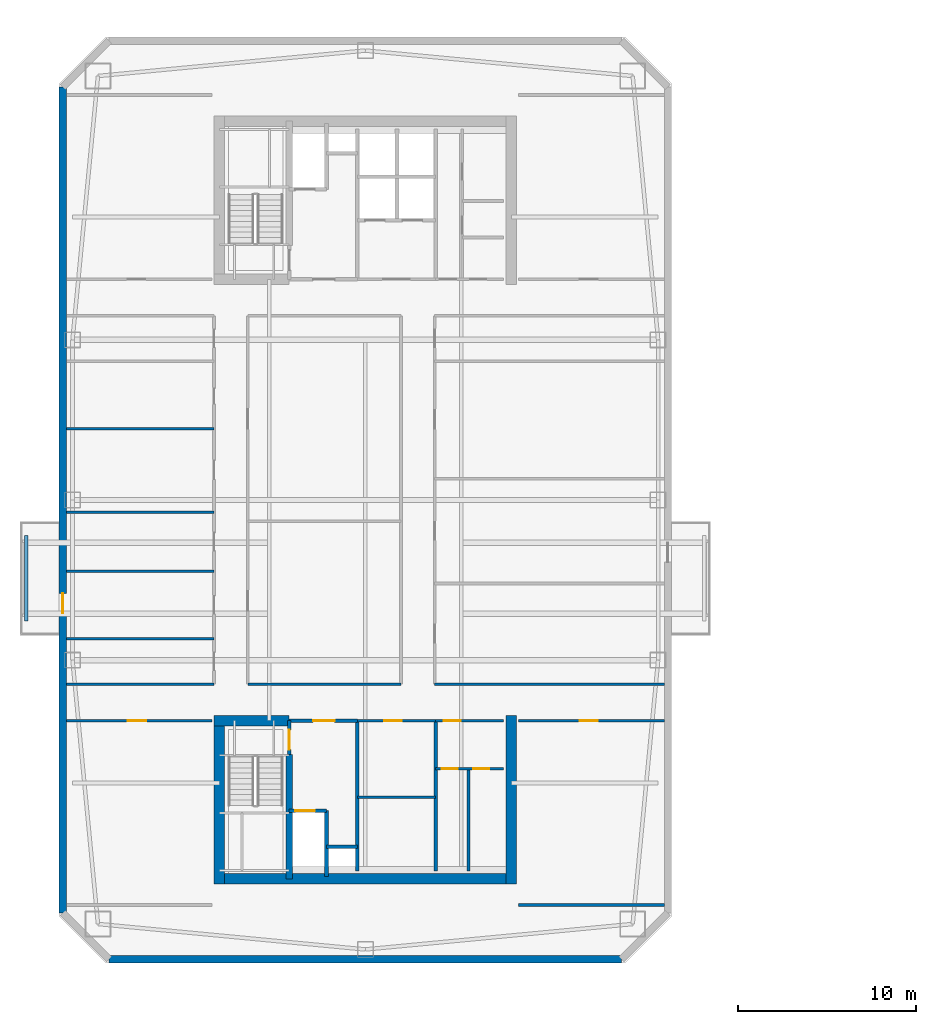
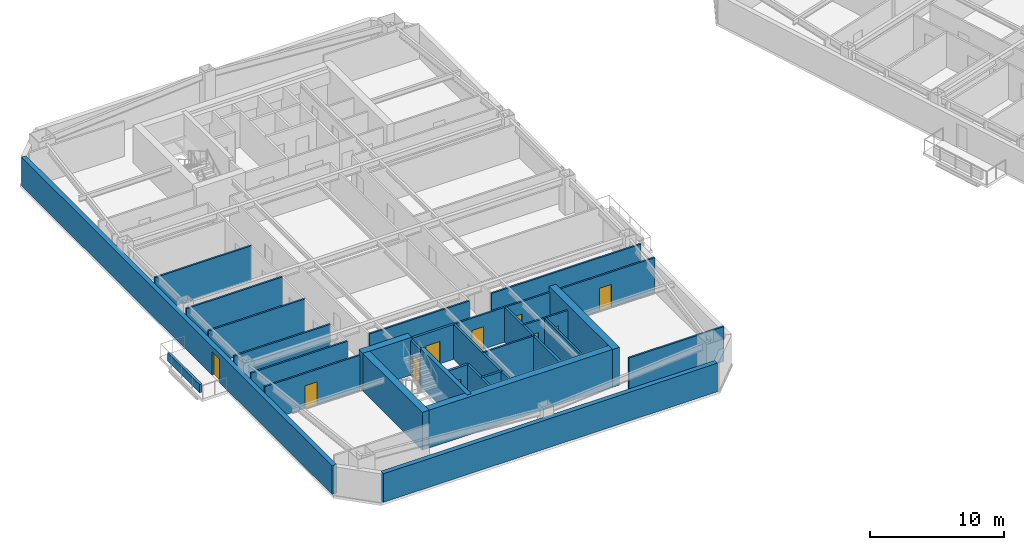
# One storey, part 5 of 15: 30 walls, 10 doors, 10 openings.
"""IFC4 building model written with IfcOpenShell, lengths in metres."""

from ifc_helpers import new_model, si_unit, direction, frame, frame_2d, origin, place, context, subcontext, project, spatial, rectangle, extrude, material, layer, layer_set, type_object, element, fill, save


model = new_model("IFC4")

# Units and contexts
model_context = context("Model", 3, precision=1e-05, world=origin(), true_north=direction((0.0, 1.0)))
body_context = subcontext(model_context, "Body", "Model", "MODEL_VIEW")
ifc_project = project(units=[si_unit("LENGTHUNIT", "METRE"), si_unit("AREAUNIT", "SQUARE_METRE"), si_unit("VOLUMEUNIT", "CUBIC_METRE"), si_unit("PLANEANGLEUNIT", "RADIAN"), si_unit("MASSUNIT", "GRAM", prefix="KILO")], contexts=[model_context])

# Site, building, storey
site_placement = place(None, origin())
site = spatial("IfcSite", under=ifc_project, at=site_placement, CompositionType="ELEMENT")
building_placement = place(site_placement, origin())
building = spatial("IfcBuilding", under=site, at=building_placement, Name="Qiaolan Cultural Towers", CompositionType="ELEMENT")
storey_placement = place(building_placement, frame((0.0, 0.0, 166.75)))
storey = spatial("IfcBuildingStorey", under=building, at=storey_placement, Name="L44", CompositionType="ELEMENT", Elevation=166.75)

# Walls
ifc_material_1 = material(Name="Concrete C50", Category="concrete")
ifc_layer_1 = layer(ifc_material_1, 0.35009765625)
ifc_layer_set_1 = layer_set([ifc_layer_1], Name="Concrete C50")
wall_type_1 = type_object("IfcWallType", Name="WL-CORE-350", PredefinedType="SHEAR", material=ifc_layer_set_1)
wall_1_placement = place(storey_placement, frame((25.719970703125, 19.699951171875, 0.0), z_axis=(0.0, 0.0, 1.0), x_axis=(0.0, -1.0, 0.0)))
element("IfcWall", 1, at=wall_1_placement, inside=storey, type_object=wall_type_1, Name="L44 T1-CS Stair Core Dividing Web", PredefinedType="SHEAR", context=body_context, shape_type="SweptSolid", body=[
    extrude(rectangle(XDim=6.97998046875, YDim=0.35009765625, at=frame_2d((3.489990234375, 0.0))), origin(), (0.0, 0.0, 1.0), 3.449951171875),
])
ifc_material_2 = material(Name="Concrete C55", Category="concrete")
ifc_layer_2 = layer(ifc_material_2, 0.60009765625)
ifc_layer_set_2 = layer_set([ifc_layer_2], Name="Concrete C55")
wall_type_2 = type_object("IfcWallType", Name="WL-CORE-600", PredefinedType="SHEAR", material=ifc_layer_set_2)
wall_2_placement = place(storey_placement, frame((21.5, 12.719970703125, 0.0), z_axis=(0.0, 0.0, 1.0), x_axis=(1.0, 0.0, 0.0)))
element("IfcWall", 2, at=wall_2_placement, inside=storey, type_object=wall_type_2, Name="L44 T1-CS Outer Core Shear Wall", PredefinedType="SHEAR", context=body_context, shape_type="SweptSolid", body=[
    extrude(rectangle(XDim=17.0, YDim=0.60009765625, at=frame_2d((8.5, 0.0))), origin(), (0.0, 0.0, 1.0), 3.449951171875),
])
for number, where, z_axis, x_axis, name in (
    (3, (21.800048828125, 21.89990234375, 0.0), (0.0, 0.0, 1.0), (0.0, -1.0, 0.0), "L44 T1-CS West Core Shear Wall"),
    (4, (38.199951171875, 21.89990234375, 0.0), (0.0, 0.0, 1.0), (0.0, -1.0, 0.0), "L44 T1-CS East Core Shear Wall"),
):
    element("IfcWall", number, at=place(storey_placement, frame(where, z_axis=z_axis, x_axis=x_axis)), inside=storey, type_object=wall_type_2, Name=name, PredefinedType="SHEAR", context=body_context, shape_type="SweptSolid", body=[
        extrude(rectangle(XDim=9.47998046875, YDim=0.60009765625, at=frame_2d((4.739990234375, 0.0))), origin(), (0.0, 0.0, 1.0), 3.449951171875),
    ])
wall_3_placement = place(storey_placement, frame((21.5, 21.60009765625, 0.0), z_axis=(0.0, 0.0, 1.0), x_axis=(1.0, 0.0, 0.0)))
element("IfcWall", 5, at=wall_3_placement, inside=storey, type_object=wall_type_2, Name="L44 T1-CS Stair Front Shear Wall", PredefinedType="SHEAR", context=body_context, shape_type="SweptSolid", body=[
    extrude(rectangle(XDim=4.219970703125, YDim=0.60009765625, at=frame_2d((2.10986328125, 0.0))), origin(), (0.0, 0.0, 1.0), 3.449951171875),
])

# Wall, opening, door
ifc_material_3 = material(Name="Precast Concrete C50 Honed Stone Pier", Category="masonry")
ifc_layer_3 = layer(ifc_material_3, 0.39990234375)
ifc_layer_set_3 = layer_set([ifc_layer_3], Name="Precast Concrete C50 Honed Stone Pier")
wall_type_3 = type_object("IfcWallType", Name="WL-EXT-PIER-400", PredefinedType="SOLIDWALL", material=ifc_layer_set_3)
wall_4_placement = place(storey_placement, frame((13.0, 10.800048828125, 0.0), z_axis=(0.0, 0.0, 1.0), x_axis=(0.0, 1.0, 0.0)))
wall_4 = element("IfcWall", 6, at=wall_4_placement, inside=storey, type_object=wall_type_3, Name="L44 West Tower Precast Pier Facade Wall F1", PredefinedType="SOLIDWALL", context=body_context, shape_type="SweptSolid", body=[
    extrude(rectangle(XDim=46.39990234375, YDim=0.39990234375, at=frame_2d((23.199951171875, 0.0))), origin(), (0.0, 0.0, 1.0), 2.610107421875),
])
opening_1_placement = place(wall_4_placement, frame((16.85009765625, 0.0, 0.0)))
opening_1 = element("IfcOpeningElement", 7, at=opening_1_placement, cuts=wall_4, Name="Opening BD-01", PredefinedType="OPENING", context=body_context, shape_type="SweptSolid", body=[
    extrude(rectangle(XDim=1.10009765625, YDim=2.14990234375, at=frame_2d((0.550048828125, 1.074951171875))), frame((0.0, 0.2099609375, 0.0), z_axis=(0.0, -1.0, 0.0), x_axis=(1.0, 0.0, 0.0)), (0.0, 0.0, 1.0), 0.419921875),
])
ifc_material_4 = material(Name="Thermally Broken Aluminium Glazed Terrace Door", Category="aluminium")
door_type_1 = type_object("IfcDoorType", Name="DR-BAL-1100", OperationType="NOTDEFINED", PredefinedType="DOOR", material=ifc_material_4)
door_1_placement = place(opening_1_placement, origin())
door_1 = element("IfcDoor", 8, at=door_1_placement, inside=storey, type_object=door_type_1, Name="L44 T1 West Tree Balcony Door", OperationType="SINGLE_SWING_LEFT", OverallHeight=2.14990234375, OverallWidth=1.10009765625, PredefinedType="DOOR", context=body_context, shape_type="SweptSolid", body=[
    extrude(rectangle(XDim=1.10009765625, YDim=2.14990234375, at=frame_2d((0.550048828125, 1.074951171875))), frame((0.0, 0.02490234375, 0.0), z_axis=(0.0, -1.0, 0.0), x_axis=(1.0, 0.0, 0.0)), (0.0, 0.0, 1.0), 0.050048828125),
])
fill(opening_1, door_1)

# Wall
wall_5_placement = place(storey_placement, frame((44.39990234375, 8.199951171875, 0.0), z_axis=(0.0, 0.0, 1.0), x_axis=(-1.0, 0.0, 0.0)))
element("IfcWall", 9, at=wall_5_placement, inside=storey, type_object=wall_type_3, Name="L44 West Tower Precast Pier Facade Wall F7", PredefinedType="SOLIDWALL", context=body_context, shape_type="SweptSolid", body=[
    extrude(rectangle(XDim=28.7998046875, YDim=0.39990234375, at=frame_2d((14.39990234375, 0.0))), origin(), (0.0, 0.0, 1.0), 2.610107421875),
])

# Wall, opening, door
ifc_material_5 = material(Name="Concrete C35 Fire Wall", Category="concrete")
ifc_layer_4 = layer(ifc_material_5, 0.199951171875)
ifc_layer_set_4 = layer_set([ifc_layer_4], Name="Concrete C35 Fire Wall")
wall_type_4 = type_object("IfcWallType", Name="WL-FIRE-200", PredefinedType="PARTITIONING", material=ifc_layer_set_4)
wall_6_placement = place(storey_placement, frame((25.719970703125, 21.60009765625, 0.0), z_axis=(0.0, 0.0, 1.0), x_axis=(0.0, -1.0, 0.0)))
wall_6 = element("IfcWall", 10, at=wall_6_placement, inside=storey, type_object=wall_type_4, Name="L44 T1-CS Smokeproof Stair Entry Wall", PredefinedType="PARTITIONING", context=body_context, shape_type="SweptSolid", body=[
    extrude(rectangle(XDim=1.900146484375, YDim=0.199951171875, at=frame_2d((0.9501953125, 0.0))), origin(), (0.0, 0.0, 1.0), 3.175048828125),
])
opening_2_placement = place(wall_6_placement, frame((0.52001953125, 0.0, 0.0)))
opening_2 = element("IfcOpeningElement", 11, at=opening_2_placement, cuts=wall_6, Name="Opening FD-04", PredefinedType="OPENING", context=body_context, shape_type="SweptSolid", body=[
    extrude(rectangle(XDim=1.10009765625, YDim=2.050048828125, at=frame_2d((0.550048828125, 1.02490234375))), frame((0.0, 0.10986328125, 0.0), z_axis=(0.0, -1.0, 0.0), x_axis=(1.0, 0.0, 0.0)), (0.0, 0.0, 1.0), 0.219970703125),
])
ifc_material_6 = material(Name="Galvanized Steel Command Fire Door", Category="steel")
door_type_2 = type_object("IfcDoorType", Name="DR-FD90-1100", OperationType="NOTDEFINED", PredefinedType="DOOR", material=ifc_material_6)
door_2_placement = place(opening_2_placement, origin())
door_2 = element("IfcDoor", 12, at=door_2_placement, inside=storey, type_object=door_type_2, Name="L44 ST-W1 Smokeproof Stair Fire Door", OperationType="SINGLE_SWING_LEFT", OverallHeight=2.050048828125, OverallWidth=1.10009765625, PredefinedType="DOOR", context=body_context, shape_type="SweptSolid", body=[
    extrude(rectangle(XDim=1.10009765625, YDim=2.050048828125, at=frame_2d((0.550048828125, 1.02490234375))), frame((0.0, 0.02490234375, 0.0), z_axis=(0.0, -1.0, 0.0), x_axis=(1.0, 0.0, 0.0)), (0.0, 0.0, 1.0), 0.050048828125),
])
fill(opening_2, door_2)

# Wall
wall_7_placement = place(storey_placement, frame((29.550048828125, 21.60009765625, 0.0), z_axis=(0.0, 0.0, 1.0), x_axis=(0.0, -1.0, 0.0)))
element("IfcWall", 13, at=wall_7_placement, inside=storey, type_object=wall_type_4, Name="L44 T1-CS Firefighting Zone Wall", PredefinedType="PARTITIONING", context=body_context, shape_type="SweptSolid", body=[
    extrude(rectangle(XDim=8.43017578125, YDim=0.199951171875, at=frame_2d((4.215087890625, 0.0))), origin(), (0.0, 0.0, 1.0), 3.175048828125),
])

# Wall, opening, door
wall_8_placement = place(storey_placement, frame((25.719970703125, 21.60009765625, 0.0), z_axis=(0.0, 0.0, 1.0), x_axis=(1.0, 0.0, 0.0)))
wall_8 = element("IfcWall", 14, at=wall_8_placement, inside=storey, type_object=wall_type_4, Name="L44 T1-CS Firefighting Lobby Front Wall", PredefinedType="PARTITIONING", context=body_context, shape_type="SweptSolid", body=[
    extrude(rectangle(XDim=3.830078125, YDim=0.199951171875, at=frame_2d((1.9150390625, 0.0))), origin(), (0.0, 0.0, 1.0), 3.175048828125),
])
opening_3_placement = place(wall_8_placement, frame((1.35009765625, 0.0, 0.0)))
opening_3 = element("IfcOpeningElement", 15, at=opening_3_placement, cuts=wall_8, Name="Opening FD-03", PredefinedType="OPENING", context=body_context, shape_type="SweptSolid", body=[
    extrude(rectangle(XDim=1.199951171875, YDim=2.050048828125, at=frame_2d((0.60009765625, 1.02490234375))), frame((0.0, 0.10986328125, 0.0), z_axis=(0.0, -1.0, 0.0), x_axis=(1.0, 0.0, 0.0)), (0.0, 0.0, 1.0), 0.219970703125),
])
ifc_material_7 = material(Name="Galvanized Steel Smokeproof Lobby Fire Door", Category="steel")
door_type_3 = type_object("IfcDoorType", Name="DR-FD90-1200", OperationType="NOTDEFINED", PredefinedType="DOOR", material=ifc_material_7)
door_3_placement = place(opening_3_placement, origin())
door_3 = element("IfcDoor", 16, at=door_3_placement, inside=storey, type_object=door_type_3, Name="L44 FFL-W1 Firefighting Lobby Fire Door", OperationType="SINGLE_SWING_LEFT", OverallHeight=2.050048828125, OverallWidth=1.199951171875, PredefinedType="DOOR", context=body_context, shape_type="SweptSolid", body=[
    extrude(rectangle(XDim=1.199951171875, YDim=2.050048828125, at=frame_2d((0.60009765625, 1.02490234375))), frame((0.0, 0.02490234375, 0.0), z_axis=(0.0, -1.0, 0.0), x_axis=(1.0, 0.0, 0.0)), (0.0, 0.0, 1.0), 0.050048828125),
])
fill(opening_3, door_3)

wall_9_placement = place(storey_placement, frame((25.719970703125, 16.550048828125, 0.0), z_axis=(0.0, 0.0, 1.0), x_axis=(1.0, 0.0, 0.0)))
wall_9 = element("IfcWall", 17, at=wall_9_placement, inside=storey, type_object=wall_type_4, Name="L44 T1-CS Firefighting Shaft Front Wall", PredefinedType="PARTITIONING", context=body_context, shape_type="SweptSolid", body=[
    extrude(rectangle(XDim=2.10009765625, YDim=0.199951171875, at=frame_2d((1.050048828125, 0.0))), origin(), (0.0, 0.0, 1.0), 3.175048828125),
])
opening_4_placement = place(wall_9_placement, frame((0.35009765625, 0.0, 0.0)))
opening_4 = element("IfcOpeningElement", 18, at=opening_4_placement, cuts=wall_9, Name="Opening LD-01", PredefinedType="OPENING", context=body_context, shape_type="SweptSolid", body=[
    extrude(rectangle(XDim=1.10009765625, YDim=2.050048828125, at=frame_2d((0.550048828125, 1.02490234375))), frame((0.0, 0.10986328125, 0.0), z_axis=(0.0, -1.0, 0.0), x_axis=(1.0, 0.0, 0.0)), (0.0, 0.0, 1.0), 0.219970703125),
])
ifc_material_8 = material(Name="Brushed Stainless Steel S30408 Centre-Parting Lift Landing Door", Category="steel")
door_type_4 = type_object("IfcDoorType", Name="DR-LIFT-1100", OperationType="NOTDEFINED", PredefinedType="DOOR", material=ifc_material_8)
door_4_placement = place(opening_4_placement, origin())
door_4 = element("IfcDoor", 19, at=door_4_placement, inside=storey, type_object=door_type_4, Name="L44 FFL-W1 Firefighting Lift Landing Door", OperationType="DOUBLE_DOOR_SLIDING", OverallHeight=2.050048828125, OverallWidth=1.10009765625, PredefinedType="DOOR", context=body_context, shape_type="SweptSolid", body=[
    extrude(rectangle(XDim=1.10009765625, YDim=2.050048828125, at=frame_2d((0.550048828125, 1.02490234375))), frame((0.0, 0.02490234375, 0.0), z_axis=(0.0, -1.0, 0.0), x_axis=(1.0, 0.0, 0.0)), (0.0, 0.0, 1.0), 0.050048828125),
])
fill(opening_4, door_4)

# Walls
wall_10_placement = place(storey_placement, frame((27.820068359375, 16.550048828125, 0.0), z_axis=(0.0, 0.0, 1.0), x_axis=(0.0, -1.0, 0.0)))
element("IfcWall", 20, at=wall_10_placement, inside=storey, type_object=wall_type_4, Name="L44 T1-CS Firefighting Hoistway East Wall", PredefinedType="PARTITIONING", context=body_context, shape_type="SweptSolid", body=[
    extrude(rectangle(XDim=3.699951171875, YDim=0.199951171875, at=frame_2d((1.85009765625, 0.0))), origin(), (0.0, 0.0, 1.0), 3.175048828125),
])
wall_11_placement = place(storey_placement, frame((27.820068359375, 14.52001953125, 0.0), z_axis=(0.0, 0.0, 1.0), x_axis=(1.0, 0.0, 0.0)))
element("IfcWall", 21, at=wall_11_placement, inside=storey, type_object=wall_type_4, Name="L44 T1-CS Pressurization Shaft Front Wall", PredefinedType="PARTITIONING", context=body_context, shape_type="SweptSolid", body=[
    extrude(rectangle(XDim=1.72998046875, YDim=0.199951171875, at=frame_2d((0.864990234375, 0.0))), origin(), (0.0, 0.0, 1.0), 3.175048828125),
])
wall_12_placement = place(storey_placement, frame((33.949951171875, 21.60009765625, 0.0), z_axis=(0.0, 0.0, 1.0), x_axis=(0.0, -1.0, 0.0)))
element("IfcWall", 22, at=wall_12_placement, inside=storey, type_object=wall_type_4, Name="L44 T1-CS Lift Core East Wall", PredefinedType="PARTITIONING", context=body_context, shape_type="SweptSolid", body=[
    extrude(rectangle(XDim=8.43017578125, YDim=0.199951171875, at=frame_2d((4.215087890625, 0.0))), origin(), (0.0, 0.0, 1.0), 3.175048828125),
])

# Wall, opening, door
ifc_material_9 = material(Name="Autoclaved Aerated Concrete Block B06", Category="concrete")
ifc_layer_5 = layer(ifc_material_9, 0.14990234375)
ifc_layer_set_5 = layer_set([ifc_layer_5], Name="Autoclaved Aerated Concrete Block B06")
wall_type_5 = type_object("IfcWallType", Name="WL-PART-150", PredefinedType="PARTITIONING", material=ifc_layer_set_5)
wall_13_placement = place(storey_placement, frame((29.550048828125, 21.60009765625, 0.0), z_axis=(0.0, 0.0, 1.0), x_axis=(1.0, 0.0, 0.0)))
wall_13 = element("IfcWall", 23, at=wall_13_placement, inside=storey, type_object=wall_type_5, Name="L44 T1-CS Reclaimed Core Room Front Wall", PredefinedType="PARTITIONING", context=body_context, shape_type="SweptSolid", body=[
    extrude(rectangle(XDim=4.39990234375, YDim=0.14990234375, at=frame_2d((2.199951171875, 0.0))), origin(), (0.0, 0.0, 1.0), 3.175048828125),
])
opening_5_placement = place(wall_13_placement, frame((1.5, 0.0, 0.0)))
opening_5 = element("IfcOpeningElement", 24, at=opening_5_placement, cuts=wall_13, Name="Opening ID-04", PredefinedType="OPENING", context=body_context, shape_type="SweptSolid", body=[
    extrude(rectangle(XDim=1.0, YDim=2.050048828125, at=frame_2d((0.5, 1.02490234375))), frame((0.0, 0.0849609375, 0.0), z_axis=(0.0, -1.0, 0.0), x_axis=(1.0, 0.0, 0.0)), (0.0, 0.0, 1.0), 0.169921875),
])
ifc_material_10 = material(Name="Oak Veneer Acoustic Office Door", Category="timber")
door_type_5 = type_object("IfcDoorType", Name="DR-INT-1000", OperationType="NOTDEFINED", PredefinedType="DOOR", material=ifc_material_10)
door_5_placement = place(opening_5_placement, origin())
door_5 = element("IfcDoor", 25, at=door_5_placement, inside=storey, type_object=door_type_5, Name="L44 Focus Pod Room Door", OperationType="SINGLE_SWING_LEFT", OverallHeight=2.050048828125, OverallWidth=1.0, PredefinedType="DOOR", context=body_context, shape_type="SweptSolid", body=[
    extrude(rectangle(XDim=1.0, YDim=2.050048828125, at=frame_2d((0.5, 1.02490234375))), frame((0.0, 0.02490234375, 0.0), z_axis=(0.0, -1.0, 0.0), x_axis=(1.0, 0.0, 0.0)), (0.0, 0.0, 1.0), 0.050048828125),
])
fill(opening_5, door_5)

# Wall
wall_14_placement = place(storey_placement, frame((29.550048828125, 17.300048828125, 0.0), z_axis=(0.0, 0.0, 1.0), x_axis=(1.0, 0.0, 0.0)))
element("IfcWall", 26, at=wall_14_placement, inside=storey, type_object=wall_type_5, Name="L44 T1-CS Reclaimed Room Subdivider", PredefinedType="PARTITIONING", context=body_context, shape_type="SweptSolid", body=[
    extrude(rectangle(XDim=4.39990234375, YDim=0.14990234375, at=frame_2d((2.199951171875, 0.0))), origin(), (0.0, 0.0, 1.0), 3.175048828125),
])

# Wall, opening, door
wall_15_placement = place(storey_placement, frame((33.949951171875, 21.60009765625, 0.0), z_axis=(0.0, 0.0, 1.0), x_axis=(1.0, 0.0, 0.0)))
wall_15 = element("IfcWall", 27, at=wall_15_placement, inside=storey, type_object=wall_type_5, Name="L44 T1-CS Sanitary Core Front Wall", PredefinedType="PARTITIONING", context=body_context, shape_type="SweptSolid", body=[
    extrude(rectangle(XDim=3.800048828125, YDim=0.14990234375, at=frame_2d((1.89990234375, 0.0))), origin(), (0.0, 0.0, 1.0), 3.175048828125),
])
opening_6_placement = place(wall_15_placement, frame((0.449951171875, 0.0, 0.0)))
opening_6 = element("IfcOpeningElement", 28, at=opening_6_placement, cuts=wall_15, Name="Opening ID-05", PredefinedType="OPENING", context=body_context, shape_type="SweptSolid", body=[
    extrude(rectangle(XDim=0.949951171875, YDim=2.050048828125, at=frame_2d((0.47509765625, 1.02490234375))), frame((0.0, 0.0849609375, 0.0), z_axis=(0.0, -1.0, 0.0), x_axis=(1.0, 0.0, 0.0)), (0.0, 0.0, 1.0), 0.169921875),
])
ifc_material_11 = material(Name="Fire-Rated Laminate Accessible Core Door", Category="timber")
door_type_6 = type_object("IfcDoorType", Name="DR-INT-950", OperationType="NOTDEFINED", PredefinedType="DOOR", material=ifc_material_11)
door_6_placement = place(opening_6_placement, origin())
door_6 = element("IfcDoor", 29, at=door_6_placement, inside=storey, type_object=door_type_6, Name="L44 Sanitary Vestibule Door", OperationType="SINGLE_SWING_LEFT", OverallHeight=2.050048828125, OverallWidth=0.949951171875, PredefinedType="DOOR", context=body_context, shape_type="SweptSolid", body=[
    extrude(rectangle(XDim=0.949951171875, YDim=2.050048828125, at=frame_2d((0.47509765625, 1.02490234375))), frame((0.0, 0.02490234375, 0.0), z_axis=(0.0, -1.0, 0.0), x_axis=(1.0, 0.0, 0.0)), (0.0, 0.0, 1.0), 0.050048828125),
])
fill(opening_6, door_6)

# Wall, openings, doors
wall_16_placement = place(storey_placement, frame((33.949951171875, 18.89990234375, 0.0), z_axis=(0.0, 0.0, 1.0), x_axis=(1.0, 0.0, 0.0)))
wall_16 = element("IfcWall", 30, at=wall_16_placement, inside=storey, type_object=wall_type_5, Name="L44 T1-CS Restroom Vestibule Wall", PredefinedType="PARTITIONING", context=body_context, shape_type="SweptSolid", body=[
    extrude(rectangle(XDim=3.800048828125, YDim=0.14990234375, at=frame_2d((1.89990234375, 0.0))), origin(), (0.0, 0.0, 1.0), 3.175048828125),
])
opening_7_placement = place(wall_16_placement, frame((0.35009765625, 0.0, 0.0)))
opening_7 = element("IfcOpeningElement", 31, at=opening_7_placement, cuts=wall_16, Name="Opening ID-06", PredefinedType="OPENING", context=body_context, shape_type="SweptSolid", body=[
    extrude(rectangle(XDim=0.89990234375, YDim=2.050048828125, at=frame_2d((0.449951171875, 1.02490234375))), frame((0.0, 0.0849609375, 0.0), z_axis=(0.0, -1.0, 0.0), x_axis=(1.0, 0.0, 0.0)), (0.0, 0.0, 1.0), 0.169921875),
])
opening_8_placement = place(wall_16_placement, frame((2.10009765625, 0.0, 0.0)))
opening_8 = element("IfcOpeningElement", 32, at=opening_8_placement, cuts=wall_16, Name="Opening ID-06", PredefinedType="OPENING", context=body_context, shape_type="SweptSolid", body=[
    extrude(rectangle(XDim=0.89990234375, YDim=2.050048828125, at=frame_2d((0.449951171875, 1.02490234375))), frame((0.0, 0.0849609375, 0.0), z_axis=(0.0, -1.0, 0.0), x_axis=(1.0, 0.0, 0.0)), (0.0, 0.0, 1.0), 0.169921875),
])
ifc_material_12 = material(Name="Fire-Rated Laminate Core Service Door", Category="timber")
door_type_7 = type_object("IfcDoorType", Name="DR-INT-900", OperationType="NOTDEFINED", PredefinedType="DOOR", material=ifc_material_12)
door_7_placement = place(opening_7_placement, origin())
door_7 = element("IfcDoor", 33, at=door_7_placement, inside=storey, type_object=door_type_7, Name="L44 Men Restroom Door", OperationType="SINGLE_SWING_LEFT", OverallHeight=2.050048828125, OverallWidth=0.89990234375, PredefinedType="DOOR", context=body_context, shape_type="SweptSolid", body=[
    extrude(rectangle(XDim=0.89990234375, YDim=2.050048828125, at=frame_2d((0.449951171875, 1.02490234375))), frame((0.0, 0.02490234375, 0.0), z_axis=(0.0, -1.0, 0.0), x_axis=(1.0, 0.0, 0.0)), (0.0, 0.0, 1.0), 0.050048828125),
])
fill(opening_7, door_7)
door_8_placement = place(opening_8_placement, origin())
door_8 = element("IfcDoor", 34, at=door_8_placement, inside=storey, type_object=door_type_7, Name="L44 Accessible & Women Restroom Door", OperationType="SINGLE_SWING_RIGHT", OverallHeight=2.050048828125, OverallWidth=0.89990234375, PredefinedType="DOOR", context=body_context, shape_type="SweptSolid", body=[
    extrude(rectangle(XDim=0.89990234375, YDim=2.050048828125, at=frame_2d((0.449951171875, 1.02490234375))), frame((0.0, 0.02490234375, 0.0), z_axis=(0.0, -1.0, 0.0), x_axis=(1.0, 0.0, 0.0)), (0.0, 0.0, 1.0), 0.050048828125),
])
fill(opening_8, door_8)

# Wall
wall_17_placement = place(storey_placement, frame((35.800048828125, 18.89990234375, 0.0), z_axis=(0.0, 0.0, 1.0), x_axis=(0.0, -1.0, 0.0)))
element("IfcWall", 35, at=wall_17_placement, inside=storey, type_object=wall_type_5, Name="L44 T1-CS Restroom Divider Wall", PredefinedType="PARTITIONING", context=body_context, shape_type="SweptSolid", body=[
    extrude(rectangle(XDim=5.72998046875, YDim=0.14990234375, at=frame_2d((2.864990234375, 0.0))), origin(), (0.0, 0.0, 1.0), 3.175048828125),
])

# Wall, opening, door
wall_18_placement = place(storey_placement, frame((13.199951171875, 21.60009765625, 0.0), z_axis=(0.0, 0.0, 1.0), x_axis=(1.0, 0.0, 0.0)))
wall_18 = element("IfcWall", 36, at=wall_18_placement, inside=storey, type_object=wall_type_5, Name="L44 T1 Flank Front FLK-SW", PredefinedType="PARTITIONING", context=body_context, shape_type="SweptSolid", body=[
    extrude(rectangle(XDim=8.199951171875, YDim=0.14990234375, at=frame_2d((4.10009765625, 0.0))), origin(), (0.0, 0.0, 1.0), 3.175048828125),
])
opening_9_placement = place(wall_18_placement, frame((3.444091796875, 0.0, 0.0)))
opening_9 = element("IfcOpeningElement", 37, at=opening_9_placement, cuts=wall_18, Name="Opening ID-07", PredefinedType="OPENING", context=body_context, shape_type="SweptSolid", body=[
    extrude(rectangle(XDim=1.050048828125, YDim=2.050048828125, at=frame_2d((0.52490234375, 1.02490234375))), frame((0.0, 0.0849609375, 0.0), z_axis=(0.0, -1.0, 0.0), x_axis=(1.0, 0.0, 0.0)), (0.0, 0.0, 1.0), 0.169921875),
])
ifc_material_13 = material(Name="Oak Veneer Consultation Door", Category="timber")
door_type_8 = type_object("IfcDoorType", Name="DR-INT-1050", OperationType="NOTDEFINED", PredefinedType="DOOR", material=ifc_material_13)
door_9_placement = place(opening_9_placement, origin())
door_9 = element("IfcDoor", 38, at=door_9_placement, inside=storey, type_object=door_type_8, Name="L44 T1 Corner Studio Door", OperationType="SINGLE_SWING_LEFT", OverallHeight=2.050048828125, OverallWidth=1.050048828125, PredefinedType="DOOR", context=body_context, shape_type="SweptSolid", body=[
    extrude(rectangle(XDim=1.050048828125, YDim=2.050048828125, at=frame_2d((0.52490234375, 1.02490234375))), frame((0.0, 0.02490234375, 0.0), z_axis=(0.0, -1.0, 0.0), x_axis=(1.0, 0.0, 0.0)), (0.0, 0.0, 1.0), 0.050048828125),
])
fill(opening_9, door_9)

# Wall
wall_19_placement = place(storey_placement, frame((38.60009765625, 11.25, 0.0), z_axis=(0.0, 0.0, 1.0), x_axis=(1.0, 0.0, 0.0)))
element("IfcWall", 39, at=wall_19_placement, inside=storey, type_object=wall_type_5, Name="L44 T1 Flank Wall FLK-SE", PredefinedType="PARTITIONING", context=body_context, shape_type="SweptSolid", body=[
    extrude(rectangle(XDim=8.199951171875, YDim=0.14990234375, at=frame_2d((4.10009765625, 0.0))), origin(), (0.0, 0.0, 1.0), 3.175048828125),
])

# Wall, opening, door
wall_20_placement = place(storey_placement, frame((38.60009765625, 21.60009765625, 0.0), z_axis=(0.0, 0.0, 1.0), x_axis=(1.0, 0.0, 0.0)))
wall_20 = element("IfcWall", 40, at=wall_20_placement, inside=storey, type_object=wall_type_5, Name="L44 T1 Flank Front FLK-SE", PredefinedType="PARTITIONING", context=body_context, shape_type="SweptSolid", body=[
    extrude(rectangle(XDim=8.199951171875, YDim=0.14990234375, at=frame_2d((4.10009765625, 0.0))), origin(), (0.0, 0.0, 1.0), 3.175048828125),
])
opening_10_placement = place(wall_20_placement, frame((3.444091796875, 0.0, 0.0)))
opening_10 = element("IfcOpeningElement", 41, at=opening_10_placement, cuts=wall_20, Name="Opening ID-04", PredefinedType="OPENING", context=body_context, shape_type="SweptSolid", body=[
    extrude(rectangle(XDim=1.0, YDim=2.050048828125, at=frame_2d((0.5, 1.02490234375))), frame((0.0, 0.0849609375, 0.0), z_axis=(0.0, -1.0, 0.0), x_axis=(1.0, 0.0, 0.0)), (0.0, 0.0, 1.0), 0.169921875),
])
door_10_placement = place(opening_10_placement, origin())
door_10 = element("IfcDoor", 42, at=door_10_placement, inside=storey, type_object=door_type_5, Name="L44 T1 Corner Studio Door", OperationType="SINGLE_SWING_LEFT", OverallHeight=2.050048828125, OverallWidth=1.0, PredefinedType="DOOR", context=body_context, shape_type="SweptSolid", body=[
    extrude(rectangle(XDim=1.0, YDim=2.050048828125, at=frame_2d((0.5, 1.02490234375))), frame((0.0, 0.02490234375, 0.0), z_axis=(0.0, -1.0, 0.0), x_axis=(1.0, 0.0, 0.0)), (0.0, 0.0, 1.0), 0.050048828125),
])
fill(opening_10, door_10)

# Walls
wall_21_placement = place(storey_placement, frame((13.199951171875, 23.64990234375, 0.0), z_axis=(0.0, 0.0, 1.0), x_axis=(1.0, 0.0, 0.0)))
element("IfcWall", 43, at=wall_21_placement, inside=storey, type_object=wall_type_5, Name="L44 T1 Interior Wall", PredefinedType="PARTITIONING", context=body_context, shape_type="SweptSolid", body=[
    extrude(rectangle(XDim=8.300048828125, YDim=0.14990234375, at=frame_2d((4.14990234375, 0.0))), origin(), (0.0, 0.0, 1.0), 3.175048828125),
])
wall_22_placement = place(storey_placement, frame((23.39990234375, 23.64990234375, 0.0), z_axis=(0.0, 0.0, 1.0), x_axis=(1.0, 0.0, 0.0)))
element("IfcWall", 44, at=wall_22_placement, inside=storey, type_object=wall_type_5, Name="L44 T1 Interior Wall", PredefinedType="PARTITIONING", context=body_context, shape_type="SweptSolid", body=[
    extrude(rectangle(XDim=8.60009765625, YDim=0.14990234375, at=frame_2d((4.300048828125, 0.0))), origin(), (0.0, 0.0, 1.0), 3.175048828125),
])
wall_23_placement = place(storey_placement, frame((33.89990234375, 23.64990234375, 0.0), z_axis=(0.0, 0.0, 1.0), x_axis=(1.0, 0.0, 0.0)))
element("IfcWall", 45, at=wall_23_placement, inside=storey, type_object=wall_type_5, Name="L44 T1 Interior Wall", PredefinedType="PARTITIONING", context=body_context, shape_type="SweptSolid", body=[
    extrude(rectangle(XDim=12.900146484375, YDim=0.14990234375, at=frame_2d((6.4501953125, 0.0))), origin(), (0.0, 0.0, 1.0), 3.175048828125),
])
for number, where, z_axis, x_axis, name in (
    (46, (13.199951171875, 26.199951171875, 0.0), (0.0, 0.0, 1.0), (1.0, 0.0, 0.0), "L44 T1 Interior Wall"),
    (47, (13.199951171875, 30.0, 0.0), (0.0, 0.0, 1.0), (1.0, 0.0, 0.0), "L44 T1 Interior Wall"),
    (48, (13.199951171875, 33.320068359375, 0.0), (0.0, 0.0, 1.0), (1.0, 0.0, 0.0), "L44 T1 Interior Wall"),
    (49, (13.199951171875, 38.0, 0.0), (0.0, 0.0, 1.0), (1.0, 0.0, 0.0), "L44 T1 Interior Wall"),
):
    element("IfcWall", number, at=place(storey_placement, frame(where, z_axis=z_axis, x_axis=x_axis)), inside=storey, type_object=wall_type_5, Name=name, PredefinedType="PARTITIONING", context=body_context, shape_type="SweptSolid", body=[
        extrude(rectangle(XDim=8.300048828125, YDim=0.14990234375, at=frame_2d((4.14990234375, 0.0))), origin(), (0.0, 0.0, 1.0), 3.175048828125),
    ])
ifc_material_14 = material(Name="Precast Concrete C45 Tree Planter Upstand", Category="concrete")
ifc_layer_6 = layer(ifc_material_14, 0.199951171875)
ifc_layer_set_6 = layer_set([ifc_layer_6], Name="Precast Concrete C45 Tree Planter Upstand")
wall_type_6 = type_object("IfcWallType", Name="WL-PLANTER-200", PredefinedType="PARAPET", material=ifc_layer_set_6)
wall_24_placement = place(storey_placement, frame((10.949951171875, 27.199951171875, 0.0), z_axis=(0.0, 0.0, 1.0), x_axis=(0.0, 1.0, 0.0)))
element("IfcWall", 50, at=wall_24_placement, inside=storey, type_object=wall_type_6, Name="L44 T1 Tree Balcony Soil Planter Box W", PredefinedType="PARAPET", context=body_context, shape_type="SweptSolid", body=[
    extrude(rectangle(XDim=4.800048828125, YDim=0.199951171875, at=frame_2d((2.39990234375, 0.0))), origin(), (0.0, 0.0, 1.0), 0.75),
])

save(model, "model.ifc")
